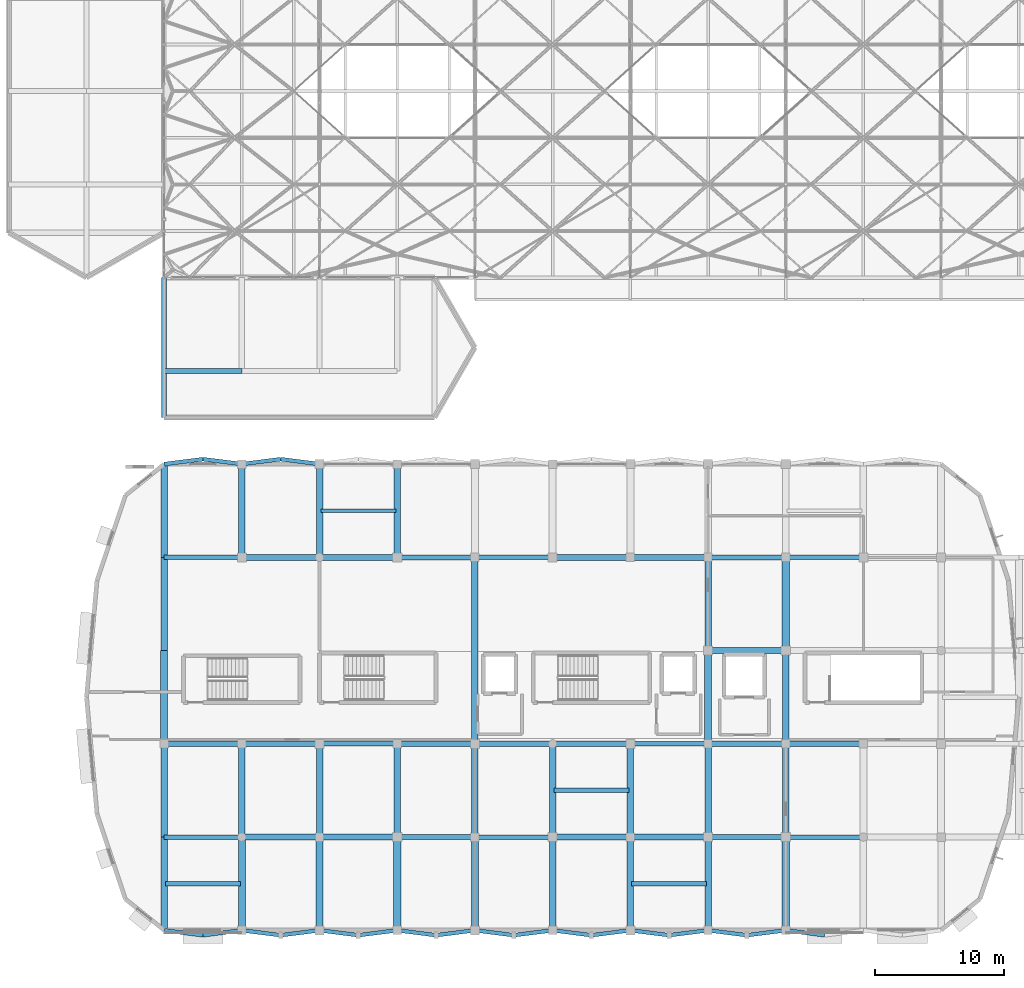
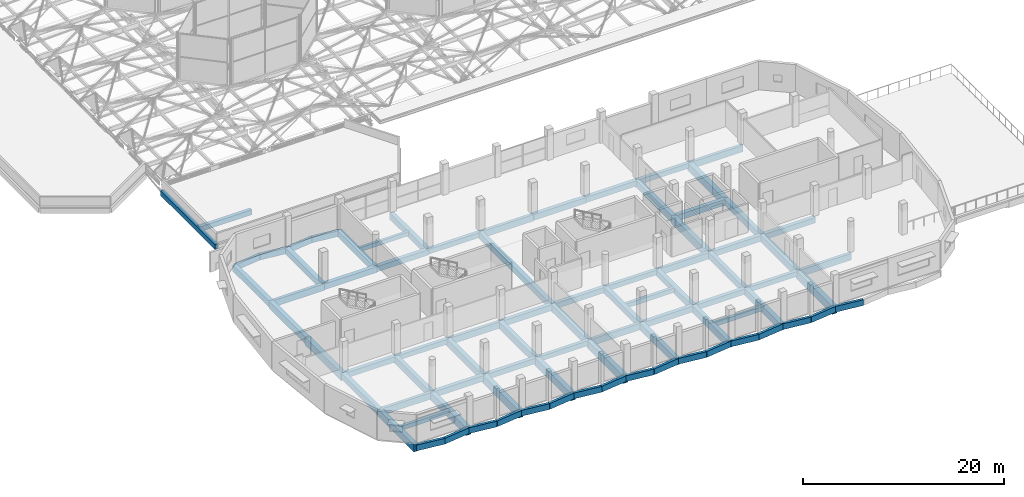
# One storey, part 4 of 239: 84 beams.
"""IFC4 building model written with IfcOpenShell, lengths in metres."""

from ifc_helpers import new_model, si_unit, direction, frame, origin, origin_2d, place, context, subcontext, project, spatial, rectangle, extrude, material, material_profile, profile_set, type_object, element, save


model = new_model("IFC4")

# Units and contexts
model_context = context("Model", 3, precision=1e-05, world=origin(), true_north=direction((0.0, 1.0)))
body_context = subcontext(model_context, "Body", "Model", "MODEL_VIEW")
ifc_project = project(units=[si_unit("LENGTHUNIT", "METRE"), si_unit("AREAUNIT", "SQUARE_METRE"), si_unit("VOLUMEUNIT", "CUBIC_METRE"), si_unit("PLANEANGLEUNIT", "RADIAN"), si_unit("MASSUNIT", "GRAM", prefix="KILO")], contexts=[model_context])

# Site, building, storey
site_placement = place(None, origin())
site = spatial("IfcSite", under=ifc_project, at=site_placement, CompositionType="ELEMENT")
building_placement = place(site_placement, origin())
building = spatial("IfcBuilding", under=site, at=building_placement, Name="Dunvalen Ferry Terminal", CompositionType="ELEMENT")
storey_placement = place(building_placement, frame((0.0, 0.0, 9.840087890625)))
storey = spatial("IfcBuildingStorey", under=building, at=storey_placement, Name="L02", CompositionType="ELEMENT", Elevation=9.840087890625)

# Beams
ifc_material_1 = material(Name="Concrete C35/45", Category="concrete")
ifc_material_profile_1 = material_profile(ifc_material_1, rectangle(XDim=0.300048828125, YDim=0.5, at=origin_2d()), Name="Concrete C35/45")
ifc_profile_set_1 = profile_set([ifc_material_profile_1], Name="Concrete C35/45")
beam_type_1 = type_object("IfcBeamType", Name="STR-BM-RCB500", PredefinedType="JOIST", material=ifc_profile_set_1)
beam_1_placement = place(storey_placement, frame((24.10009765625, 32.39990234375, -0.510009765625), z_axis=(1.0, 0.0, 0.0), x_axis=(0.0, 1.0, 0.0)))
element("IfcBeam", 1, at=beam_1_placement, inside=storey, type_object=beam_type_1, Name="L02 V5P0 Secondary Joist 002", PredefinedType="JOIST", context=body_context, shape_type="SweptSolid", body=[
    extrude(rectangle(XDim=0.300048828125, YDim=0.5, at=origin_2d()), origin(), (0.0, 0.0, 1.0), 5.7998046875),
])
ifc_material_profile_2 = material_profile(ifc_material_1, rectangle(XDim=0.35009765625, YDim=0.5, at=origin_2d()), Name="Concrete C35/45")
ifc_profile_set_2 = profile_set([ifc_material_profile_2], Name="Concrete C35/45")
beam_type_2 = type_object("IfcBeamType", Name="STR-BM-RCB500W", PredefinedType="JOIST", material=ifc_profile_set_2)
for number, where, z_axis, x_axis, name in (
    (2, (12.10009765625, 3.60009765625, -0.510009765625), (1.0, 0.0, 0.0), (0.0, 1.0, 0.0), "L02 V5P0 Secondary Joist 001"),
    (3, (48.10009765625, 3.60009765625, -0.510009765625), (1.0, 0.0, 0.0), (0.0, 1.0, 0.0), "L02 V5P0 Secondary Joist 004"),
):
    element("IfcBeam", number, at=place(storey_placement, frame(where, z_axis=z_axis, x_axis=x_axis)), inside=storey, type_object=beam_type_2, Name=name, PredefinedType="JOIST", context=body_context, shape_type="SweptSolid", body=[
        extrude(rectangle(XDim=0.35009765625, YDim=0.5, at=origin_2d()), origin(), (0.0, 0.0, 1.0), 5.7998046875),
    ])
ifc_material_profile_3 = material_profile(ifc_material_1, rectangle(XDim=0.35009765625, YDim=0.550048828125, at=origin_2d()), Name="Concrete C35/45")
ifc_profile_set_3 = profile_set([ifc_material_profile_3], Name="Concrete C35/45")
beam_type_3 = type_object("IfcBeamType", Name="STR-BM-RCB550", PredefinedType="JOIST", material=ifc_profile_set_3)
beam_2_placement = place(storey_placement, frame((42.10009765625, 10.800048828125, -0.53515625), z_axis=(1.0, 0.0, 0.0), x_axis=(0.0, 1.0, 0.0)))
element("IfcBeam", 4, at=beam_2_placement, inside=storey, type_object=beam_type_3, Name="L02 V5P0 Secondary Joist 003", PredefinedType="JOIST", context=body_context, shape_type="SweptSolid", body=[
    extrude(rectangle(XDim=0.35009765625, YDim=0.550048828125, at=origin_2d()), origin(), (0.0, 0.0, 1.0), 5.7998046875),
])
ifc_material_profile_4 = material_profile(ifc_material_1, rectangle(XDim=0.39990234375, YDim=0.60009765625, at=origin_2d()), Name="Concrete C35/45")
ifc_profile_set_4 = profile_set([ifc_material_profile_4], Name="Concrete C35/45")
beam_type_4 = type_object("IfcBeamType", Name="STR-BM-RCB600", PredefinedType="BEAM", material=ifc_profile_set_4)
for number, where, z_axis, x_axis, name in (
    (5, (30.0, 7.199951171875, -0.56005859375), (1.0, 0.0, 0.0), (0.0, 1.0, 0.0), "L02 V5P0 Primary Beam X-014"),
    (6, (54.0, 7.199951171875, -0.56005859375), (1.0, 0.0, 0.0), (0.0, 1.0, 0.0), "L02 V5P0 Primary Beam X-018"),
    (7, (18.0, 14.39990234375, -0.56005859375), (1.0, 0.0, 0.0), (0.0, 1.0, 0.0), "L02 V5P0 Primary Beam X-022"),
    (8, (42.0, 14.39990234375, -0.56005859375), (1.0, 0.0, 0.0), (0.0, 1.0, 0.0), "L02 V5P0 Primary Beam X-026"),
    (9, (30.0, 28.800048828125, -0.56005859375), (1.0, 0.0, 0.0), (0.0, 1.0, 0.0), "L02 V5P0 Primary Beam X-038"),
    (10, (54.0, 28.800048828125, -0.56005859375), (1.0, 0.0, 0.0), (0.0, 1.0, 0.0), "L02 V5P0 Primary Beam X-042"),
):
    element("IfcBeam", number, at=place(storey_placement, frame(where, z_axis=z_axis, x_axis=x_axis)), inside=storey, type_object=beam_type_4, Name=name, PredefinedType="BEAM", context=body_context, shape_type="SweptSolid", body=[
        extrude(rectangle(XDim=0.39990234375, YDim=0.60009765625, at=origin_2d()), origin(), (0.0, 0.0, 1.0), 6.0),
    ])
beam_3_placement = place(storey_placement, frame((12.0, 50.39990234375, -0.300048828125), z_axis=(0.0, -1.0, 0.0), x_axis=(1.0, 0.0, 0.0)))
element("IfcBeam", 11, at=beam_3_placement, inside=storey, type_object=beam_type_4, Name="L02 South-West Security Annex Ring Beam 05", PredefinedType="BEAM", context=body_context, shape_type="SweptSolid", body=[
    extrude(rectangle(XDim=0.39990234375, YDim=0.60009765625, at=origin_2d()), origin(), (0.0, 0.0, 1.0), 10.7998046875),
])
beam_4_placement = place(storey_placement, frame((12.0, 43.199951171875, -0.300048828125), z_axis=(1.0, 0.0, 0.0), x_axis=(0.0, 1.0, 0.0)))
element("IfcBeam", 12, at=beam_4_placement, inside=storey, type_object=beam_type_4, Name="L02 V1ASW Primary Beam X-001", PredefinedType="BEAM", context=body_context, shape_type="SweptSolid", body=[
    extrude(rectangle(XDim=0.39990234375, YDim=0.60009765625, at=origin_2d()), origin(), (0.0, 0.0, 1.0), 6.0),
])
ifc_material_2 = material(Name="Concrete C40/50", Category="concrete")
ifc_material_profile_5 = material_profile(ifc_material_2, rectangle(XDim=0.449951171875, YDim=0.64990234375, at=origin_2d()), Name="Concrete C40/50")
ifc_profile_set_5 = profile_set([ifc_material_profile_5], Name="Concrete C40/50")
beam_type_5 = type_object("IfcBeamType", Name="STR-BM-RCB650W", PredefinedType="BEAM", material=ifc_profile_set_5)
for number, where, z_axis, x_axis, name in (
    (13, (24.0, 7.199951171875, -0.585205078125), (1.0, 0.0, 0.0), (0.0, 1.0, 0.0), "L02 V5P0 Primary Beam X-013"),
    (14, (48.0, 7.199951171875, -0.585205078125), (1.0, 0.0, 0.0), (0.0, 1.0, 0.0), "L02 V5P0 Primary Beam X-017"),
    (15, (12.0, 14.39990234375, -0.585205078125), (1.0, 0.0, 0.0), (0.0, 1.0, 0.0), "L02 V5P0 Primary Beam X-021"),
    (16, (36.0, 14.39990234375, -0.585205078125), (1.0, 0.0, 0.0), (0.0, 1.0, 0.0), "L02 V5P0 Primary Beam X-025"),
    (17, (60.0, 14.39990234375, -0.585205078125), (1.0, 0.0, 0.0), (0.0, 1.0, 0.0), "L02 V5P0 Primary Beam X-029"),
    (18, (24.0, 28.800048828125, -0.585205078125), (1.0, 0.0, 0.0), (0.0, 1.0, 0.0), "L02 V5P0 Primary Beam X-037"),
    (19, (48.0, 28.800048828125, -0.585205078125), (1.0, 0.0, 0.0), (0.0, 1.0, 0.0), "L02 V5P0 Primary Beam X-041"),
):
    element("IfcBeam", number, at=place(storey_placement, frame(where, z_axis=z_axis, x_axis=x_axis)), inside=storey, type_object=beam_type_5, Name=name, PredefinedType="BEAM", context=body_context, shape_type="SweptSolid", body=[
        extrude(rectangle(XDim=0.449951171875, YDim=0.64990234375, at=origin_2d()), origin(), (0.0, 0.0, 1.0), 6.0),
    ])
ifc_material_profile_6 = material_profile(ifc_material_2, rectangle(XDim=0.449951171875, YDim=0.699951171875, at=origin_2d()), Name="Concrete C40/50")
ifc_profile_set_6 = profile_set([ifc_material_profile_6], Name="Concrete C40/50")
beam_type_6 = type_object("IfcBeamType", Name="STR-BM-RCB700", PredefinedType="BEAM", material=ifc_profile_set_6)
for number, where, z_axis, x_axis, name in (
    (20, (18.0, 7.199951171875, -0.610107421875), (1.0, 0.0, 0.0), (0.0, 1.0, 0.0), "L02 V5P0 Primary Beam X-012"),
    (21, (42.0, 7.199951171875, -0.610107421875), (1.0, 0.0, 0.0), (0.0, 1.0, 0.0), "L02 V5P0 Primary Beam X-016"),
    (22, (30.0, 14.39990234375, -0.610107421875), (1.0, 0.0, 0.0), (0.0, 1.0, 0.0), "L02 V5P0 Primary Beam X-024"),
    (23, (54.0, 14.39990234375, -0.610107421875), (1.0, 0.0, 0.0), (0.0, 1.0, 0.0), "L02 V5P0 Primary Beam X-028"),
    (24, (54.0, 21.60009765625, -0.610107421875), (1.0, 0.0, 0.0), (0.0, 1.0, 0.0), "L02 V5P0 Primary Beam X-032"),
    (25, (18.0, 28.800048828125, -0.610107421875), (1.0, 0.0, 0.0), (0.0, 1.0, 0.0), "L02 V5P0 Primary Beam X-036"),
    (26, (42.0, 28.800048828125, -0.610107421875), (1.0, 0.0, 0.0), (0.0, 1.0, 0.0), "L02 V5P0 Primary Beam X-040"),
):
    element("IfcBeam", number, at=place(storey_placement, frame(where, z_axis=z_axis, x_axis=x_axis)), inside=storey, type_object=beam_type_6, Name=name, PredefinedType="BEAM", context=body_context, shape_type="SweptSolid", body=[
        extrude(rectangle(XDim=0.449951171875, YDim=0.699951171875, at=origin_2d()), origin(), (0.0, 0.0, 1.0), 6.0),
    ])
ifc_material_profile_7 = material_profile(ifc_material_2, rectangle(XDim=0.5, YDim=0.75, at=origin_2d()), Name="Concrete C40/50")
ifc_profile_set_7 = profile_set([ifc_material_profile_7], Name="Concrete C40/50")
beam_type_7 = type_object("IfcBeamType", Name="STR-BM-RCB750", PredefinedType="BEAM", material=ifc_profile_set_7)
for number, where, z_axis, x_axis, name in (
    (27, (12.0, 7.199951171875, -0.635009765625), (0.0, 1.0, 0.0), (-1.0, 0.0, 0.0), "L02 V5P0 Primary Girder Y-056"),
    (28, (12.0, 28.800048828125, -0.635009765625), (0.0, 1.0, 0.0), (-1.0, 0.0, 0.0), "L02 V5P0 Primary Girder Y-059"),
    (29, (18.0, 28.800048828125, -0.635009765625), (0.0, 1.0, 0.0), (-1.0, 0.0, 0.0), "L02 V5P0 Primary Girder Y-062"),
    (30, (24.0, 28.800048828125, -0.635009765625), (0.0, 1.0, 0.0), (-1.0, 0.0, 0.0), "L02 V5P0 Primary Girder Y-065"),
    (31, (30.0, 28.800048828125, -0.635009765625), (0.0, 1.0, 0.0), (-1.0, 0.0, 0.0), "L02 V5P0 Primary Girder Y-068"),
):
    element("IfcBeam", number, at=place(storey_placement, frame(where, z_axis=z_axis, x_axis=x_axis)), inside=storey, type_object=beam_type_7, Name=name, PredefinedType="BEAM", context=body_context, shape_type="SweptSolid", body=[
        extrude(rectangle(XDim=0.5, YDim=0.75, at=origin_2d()), origin(), (0.0, 0.0, 1.0), 7.199951171875),
    ])
beam_5_placement = place(storey_placement, frame((36.0, 14.39990234375, -0.635009765625), z_axis=(0.0, 1.0, 0.0), x_axis=(-1.0, 0.0, 0.0)))
element("IfcBeam", 32, at=beam_5_placement, inside=storey, type_object=beam_type_7, Name="L02 V5P0 Primary Girder Y-071", PredefinedType="BEAM", context=body_context, shape_type="SweptSolid", body=[
    extrude(rectangle(XDim=0.5, YDim=0.75, at=origin_2d()), origin(), (0.0, 0.0, 1.0), 14.400146484375),
])
for number, where, z_axis, x_axis, name in (
    (33, (42.0, 7.199951171875, -0.635009765625), (0.0, 1.0, 0.0), (-1.0, 0.0, 0.0), "L02 V5P0 Primary Girder Y-074"),
    (34, (48.0, 7.199951171875, -0.635009765625), (0.0, 1.0, 0.0), (-1.0, 0.0, 0.0), "L02 V5P0 Primary Girder Y-077"),
    (35, (54.0, 7.199951171875, -0.635009765625), (0.0, 1.0, 0.0), (-1.0, 0.0, 0.0), "L02 V5P0 Primary Girder Y-080"),
):
    element("IfcBeam", number, at=place(storey_placement, frame(where, z_axis=z_axis, x_axis=x_axis)), inside=storey, type_object=beam_type_7, Name=name, PredefinedType="BEAM", context=body_context, shape_type="SweptSolid", body=[
        extrude(rectangle(XDim=0.5, YDim=0.75, at=origin_2d()), origin(), (0.0, 0.0, 1.0), 7.199951171875),
    ])
beam_6_placement = place(storey_placement, frame((60.0, 14.39990234375, -0.635009765625), z_axis=(0.0, 1.0, 0.0), x_axis=(-1.0, 0.0, 0.0)))
element("IfcBeam", 36, at=beam_6_placement, inside=storey, type_object=beam_type_7, Name="L02 V5P0 Primary Girder Y-086", PredefinedType="BEAM", context=body_context, shape_type="SweptSolid", body=[
    extrude(rectangle(XDim=0.5, YDim=0.75, at=origin_2d()), origin(), (0.0, 0.0, 1.0), 7.2001953125),
])
ifc_material_profile_8 = material_profile(ifc_material_2, rectangle(XDim=0.5, YDim=0.85009765625, at=origin_2d()), Name="Concrete C40/50")
ifc_profile_set_8 = profile_set([ifc_material_profile_8], Name="Concrete C40/50")
beam_type_8 = type_object("IfcBeamType", Name="STR-BM-RCG850", PredefinedType="BEAM", material=ifc_profile_set_8)
for number, where, z_axis, x_axis, name in (
    (37, (12.0, 0.0, -0.68505859375), (0.0, 1.0, 0.0), (-1.0, 0.0, 0.0), "L02 V5P0 Primary Girder Y-055"),
    (38, (12.0, 21.60009765625, -0.68505859375), (0.0, 1.0, 0.0), (-1.0, 0.0, 0.0), "L02 V5P0 Primary Girder Y-058"),
    (39, (18.0, 7.199951171875, -0.68505859375), (0.0, 1.0, 0.0), (-1.0, 0.0, 0.0), "L02 V5P0 Primary Girder Y-061"),
    (40, (24.0, 7.199951171875, -0.68505859375), (0.0, 1.0, 0.0), (-1.0, 0.0, 0.0), "L02 V5P0 Primary Girder Y-064"),
    (41, (30.0, 7.199951171875, -0.68505859375), (0.0, 1.0, 0.0), (-1.0, 0.0, 0.0), "L02 V5P0 Primary Girder Y-067"),
    (42, (36.0, 7.199951171875, -0.68505859375), (0.0, 1.0, 0.0), (-1.0, 0.0, 0.0), "L02 V5P0 Primary Girder Y-070"),
    (43, (42.0, 0.0, -0.68505859375), (0.0, 1.0, 0.0), (-1.0, 0.0, 0.0), "L02 V5P0 Primary Girder Y-073"),
    (44, (48.0, 0.0, -0.68505859375), (0.0, 1.0, 0.0), (-1.0, 0.0, 0.0), "L02 V5P0 Primary Girder Y-076"),
    (45, (54.0, 0.0, -0.68505859375), (0.0, 1.0, 0.0), (-1.0, 0.0, 0.0), "L02 V5P0 Primary Girder Y-079"),
    (46, (54.0, 21.60009765625, -0.68505859375), (0.0, 1.0, 0.0), (-1.0, 0.0, 0.0), "L02 V5P0 Primary Girder Y-082"),
    (47, (60.0, 7.199951171875, -0.68505859375), (0.0, 1.0, 0.0), (-1.0, 0.0, 0.0), "L02 V5P0 Primary Girder Y-085"),
):
    element("IfcBeam", number, at=place(storey_placement, frame(where, z_axis=z_axis, x_axis=x_axis)), inside=storey, type_object=beam_type_8, Name=name, PredefinedType="BEAM", context=body_context, shape_type="SweptSolid", body=[
        extrude(rectangle(XDim=0.5, YDim=0.85009765625, at=origin_2d()), origin(), (0.0, 0.0, 1.0), 7.199951171875),
    ])
ifc_material_profile_9 = material_profile(ifc_material_2, rectangle(XDim=0.550048828125, YDim=0.949951171875, at=origin_2d()), Name="Concrete C40/50")
ifc_profile_set_9 = profile_set([ifc_material_profile_9], Name="Concrete C40/50")
beam_type_9 = type_object("IfcBeamType", Name="STR-BM-RCG950", PredefinedType="BEAM", material=ifc_profile_set_9)
beam_7_placement = place(storey_placement, frame((12.0, 14.39990234375, -0.735107421875), z_axis=(0.0, 1.0, 0.0), x_axis=(-1.0, 0.0, 0.0)))
element("IfcBeam", 48, at=beam_7_placement, inside=storey, type_object=beam_type_9, Name="L02 V5P0 Primary Girder Y-057", PredefinedType="BEAM", context=body_context, shape_type="SweptSolid", body=[
    extrude(rectangle(XDim=0.550048828125, YDim=0.949951171875, at=origin_2d()), origin(), (0.0, 0.0, 1.0), 7.2001953125),
])
for number, where, z_axis, x_axis, name in (
    (49, (18.0, 0.0, -0.735107421875), (0.0, 1.0, 0.0), (-1.0, 0.0, 0.0), "L02 V5P0 Primary Girder Y-060"),
    (50, (24.0, 0.0, -0.735107421875), (0.0, 1.0, 0.0), (-1.0, 0.0, 0.0), "L02 V5P0 Primary Girder Y-063"),
    (51, (30.0, 0.0, -0.735107421875), (0.0, 1.0, 0.0), (-1.0, 0.0, 0.0), "L02 V5P0 Primary Girder Y-066"),
    (52, (36.0, 0.0, -0.735107421875), (0.0, 1.0, 0.0), (-1.0, 0.0, 0.0), "L02 V5P0 Primary Girder Y-069"),
):
    element("IfcBeam", number, at=place(storey_placement, frame(where, z_axis=z_axis, x_axis=x_axis)), inside=storey, type_object=beam_type_9, Name=name, PredefinedType="BEAM", context=body_context, shape_type="SweptSolid", body=[
        extrude(rectangle(XDim=0.550048828125, YDim=0.949951171875, at=origin_2d()), origin(), (0.0, 0.0, 1.0), 7.199951171875),
    ])
beam_8_placement = place(storey_placement, frame((54.0, 14.39990234375, -0.735107421875), z_axis=(0.0, 1.0, 0.0), x_axis=(-1.0, 0.0, 0.0)))
element("IfcBeam", 53, at=beam_8_placement, inside=storey, type_object=beam_type_9, Name="L02 V5P0 Primary Girder Y-081", PredefinedType="BEAM", context=body_context, shape_type="SweptSolid", body=[
    extrude(rectangle(XDim=0.550048828125, YDim=0.949951171875, at=origin_2d()), origin(), (0.0, 0.0, 1.0), 7.2001953125),
])
for number, where, z_axis, x_axis, name in (
    (54, (60.0, 0.0, -0.735107421875), (0.0, 1.0, 0.0), (-1.0, 0.0, 0.0), "L02 V5P0 Primary Girder Y-084"),
    (55, (60.0, 21.60009765625, -0.735107421875), (0.0, 1.0, 0.0), (-1.0, 0.0, 0.0), "L02 V5P0 Primary Girder Y-087"),
):
    element("IfcBeam", number, at=place(storey_placement, frame(where, z_axis=z_axis, x_axis=x_axis)), inside=storey, type_object=beam_type_9, Name=name, PredefinedType="BEAM", context=body_context, shape_type="SweptSolid", body=[
        extrude(rectangle(XDim=0.550048828125, YDim=0.949951171875, at=origin_2d()), origin(), (0.0, 0.0, 1.0), 7.199951171875),
    ])
ifc_material_profile_10 = material_profile(ifc_material_2, rectangle(XDim=0.300048828125, YDim=0.699951171875, at=origin_2d()), Name="Concrete C40/50")
ifc_profile_set_10 = profile_set([ifc_material_profile_10], Name="Concrete C40/50")
beam_type_10 = type_object("IfcBeamType", Name="STR-BM-RCSP700", PredefinedType="SPANDREL", material=ifc_profile_set_10)
for number, where, z_axis, x_axis, name in (
    (56, (12.0, 0.0, -0.610107421875), (0.992077869489, -0.12562444376, 0.0), (0.12562444376, 0.992077869489, 0.0), "L02 Forecourt Pilaster Spandrel Tie 01.1"),
    (57, (15.0, -0.3798828125, -0.610107421875), (0.992077869489, 0.12562444376, 0.0), (-0.12562444376, 0.992077869489, 0.0), "L02 Forecourt Pilaster Spandrel Tie 01.2"),
    (58, (18.0, 0.0, -0.610107421875), (0.992077869489, -0.12562444376, 0.0), (0.12562444376, 0.992077869489, 0.0), "L02 Forecourt Pilaster Spandrel Tie 02.1"),
    (59, (21.0, -0.3798828125, -0.610107421875), (0.992077869489, 0.12562444376, 0.0), (-0.12562444376, 0.992077869489, 0.0), "L02 Forecourt Pilaster Spandrel Tie 02.2"),
    (60, (24.0, 0.0, -0.610107421875), (0.992077869489, -0.12562444376, 0.0), (0.12562444376, 0.992077869489, 0.0), "L02 Forecourt Pilaster Spandrel Tie 03.1"),
    (61, (27.0, -0.3798828125, -0.610107421875), (0.992077869489, 0.12562444376, 0.0), (-0.12562444376, 0.992077869489, 0.0), "L02 Forecourt Pilaster Spandrel Tie 03.2"),
    (62, (30.0, 0.0, -0.610107421875), (0.992077869489, -0.12562444376, 0.0), (0.12562444376, 0.992077869489, 0.0), "L02 Forecourt Pilaster Spandrel Tie 04.1"),
    (63, (33.0, -0.3798828125, -0.610107421875), (0.992077869489, 0.12562444376, 0.0), (-0.12562444376, 0.992077869489, 0.0), "L02 Forecourt Pilaster Spandrel Tie 04.2"),
    (64, (36.0, 0.0, -0.610107421875), (0.992077869489, -0.12562444376, 0.0), (0.12562444376, 0.992077869489, 0.0), "L02 Forecourt Pilaster Spandrel Tie 05.1"),
    (65, (39.0, -0.3798828125, -0.610107421875), (0.992077869489, 0.12562444376, 0.0), (-0.12562444376, 0.992077869489, 0.0), "L02 Forecourt Pilaster Spandrel Tie 05.2"),
    (66, (42.0, 0.0, -0.610107421875), (0.992077869489, -0.12562444376, 0.0), (0.12562444376, 0.992077869489, 0.0), "L02 Forecourt Pilaster Spandrel Tie 06.1"),
    (67, (45.0, -0.3798828125, -0.610107421875), (0.992077869489, 0.12562444376, 0.0), (-0.12562444376, 0.992077869489, 0.0), "L02 Forecourt Pilaster Spandrel Tie 06.2"),
    (68, (48.0, 0.0, -0.610107421875), (0.992077869489, -0.12562444376, 0.0), (0.12562444376, 0.992077869489, 0.0), "L02 Forecourt Pilaster Spandrel Tie 07.1"),
    (69, (51.0, -0.3798828125, -0.610107421875), (0.992077869489, 0.12562444376, 0.0), (-0.12562444376, 0.992077869489, 0.0), "L02 Forecourt Pilaster Spandrel Tie 07.2"),
    (70, (54.0, 0.0, -0.610107421875), (0.992077869489, -0.12562444376, 0.0), (0.12562444376, 0.992077869489, 0.0), "L02 Forecourt Pilaster Spandrel Tie 08.1"),
    (71, (57.0, -0.3798828125, -0.610107421875), (0.992077869489, 0.12562444376, 0.0), (-0.12562444376, 0.992077869489, 0.0), "L02 Forecourt Pilaster Spandrel Tie 08.2"),
    (72, (60.0, 0.0, -0.610107421875), (0.992077869489, -0.12562444376, 0.0), (0.12562444376, 0.992077869489, 0.0), "L02 Forecourt Pilaster Spandrel Tie 09.1"),
    (73, (12.0, 36.0, -0.610107421875), (0.992077869489, 0.12562444376, 0.0), (-0.12562444376, 0.992077869489, 0.0), "L02 Passage Pilaster Spandrel Tie 01.1"),
    (74, (15.0, 36.3798828125, -0.610107421875), (0.992077869489, -0.12562444376, 0.0), (0.12562444376, 0.992077869489, 0.0), "L02 Passage Pilaster Spandrel Tie 01.2"),
    (75, (18.0, 36.0, -0.610107421875), (0.992077869489, 0.12562444376, 0.0), (-0.12562444376, 0.992077869489, 0.0), "L02 Passage Pilaster Spandrel Tie 02.1"),
    (76, (21.0, 36.3798828125, -0.610107421875), (0.992077869489, -0.12562444376, 0.0), (0.12562444376, 0.992077869489, 0.0), "L02 Passage Pilaster Spandrel Tie 02.2"),
):
    element("IfcBeam", number, at=place(storey_placement, frame(where, z_axis=z_axis, x_axis=x_axis)), inside=storey, type_object=beam_type_10, Name=name, PredefinedType="SPANDREL", context=body_context, shape_type="SweptSolid", body=[
        extrude(rectangle(XDim=0.300048828125, YDim=0.699951171875, at=origin_2d()), origin(), (0.0, 0.0, 1.0), 3.02392578125),
    ])
ifc_material_profile_11 = material_profile(ifc_material_2, rectangle(XDim=0.35009765625, YDim=0.800048828125, at=origin_2d()), Name="Concrete C40/50")
ifc_profile_set_11 = profile_set([ifc_material_profile_11], Name="Concrete C40/50")
beam_type_11 = type_object("IfcBeamType", Name="STR-BM-RCSP800", PredefinedType="SPANDREL", material=ifc_profile_set_11)
for number, where, z_axis, x_axis, name in (
    (77, (12.0, 7.199951171875, -0.66015625), (1.0, 0.0, 0.0), (0.0, 1.0, 0.0), "L02 V5P0 Primary Beam X-011"),
    (78, (36.0, 7.199951171875, -0.66015625), (1.0, 0.0, 0.0), (0.0, 1.0, 0.0), "L02 V5P0 Primary Beam X-015"),
    (79, (60.0, 7.199951171875, -0.66015625), (1.0, 0.0, 0.0), (0.0, 1.0, 0.0), "L02 V5P0 Primary Beam X-019"),
    (80, (24.0, 14.39990234375, -0.66015625), (1.0, 0.0, 0.0), (0.0, 1.0, 0.0), "L02 V5P0 Primary Beam X-023"),
    (81, (48.0, 14.39990234375, -0.66015625), (1.0, 0.0, 0.0), (0.0, 1.0, 0.0), "L02 V5P0 Primary Beam X-027"),
    (82, (12.0, 28.800048828125, -0.66015625), (1.0, 0.0, 0.0), (0.0, 1.0, 0.0), "L02 V5P0 Primary Beam X-035"),
    (83, (36.0, 28.800048828125, -0.66015625), (1.0, 0.0, 0.0), (0.0, 1.0, 0.0), "L02 V5P0 Primary Beam X-039"),
    (84, (60.0, 28.800048828125, -0.66015625), (1.0, 0.0, 0.0), (0.0, 1.0, 0.0), "L02 V5P0 Primary Beam X-043"),
):
    element("IfcBeam", number, at=place(storey_placement, frame(where, z_axis=z_axis, x_axis=x_axis)), inside=storey, type_object=beam_type_11, Name=name, PredefinedType="SPANDREL", context=body_context, shape_type="SweptSolid", body=[
        extrude(rectangle(XDim=0.35009765625, YDim=0.800048828125, at=origin_2d()), origin(), (0.0, 0.0, 1.0), 6.0),
    ])

save(model, "model.ifc")
